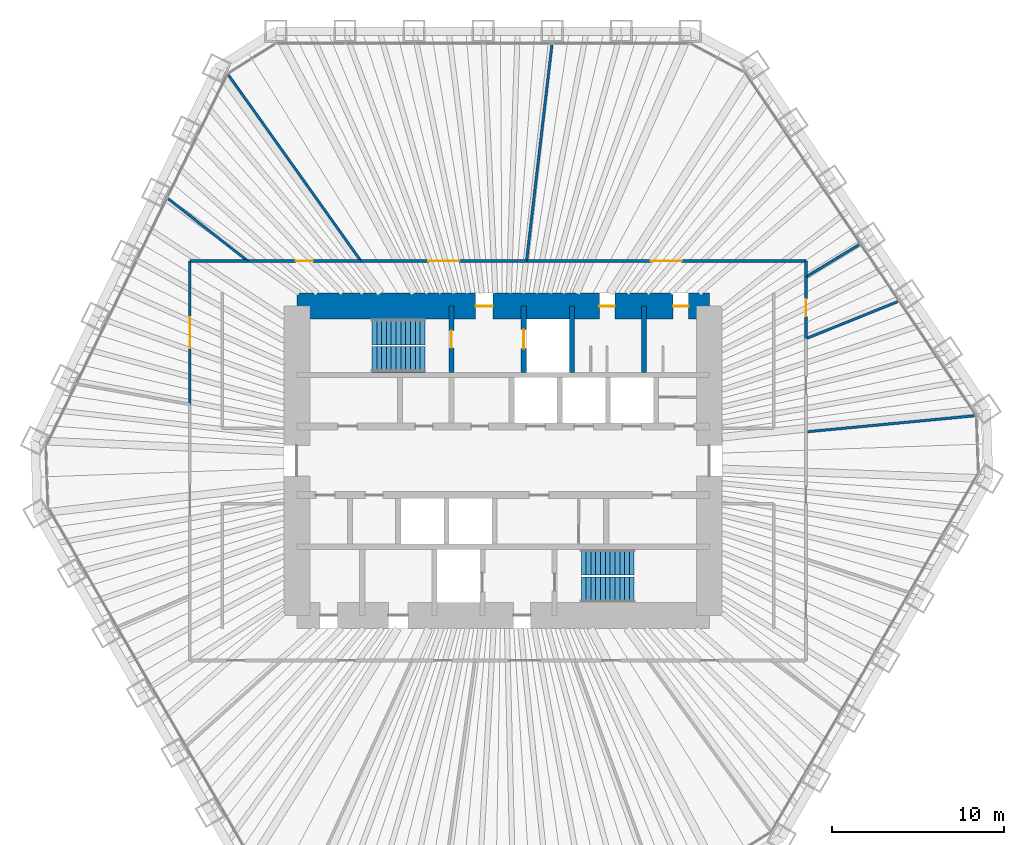
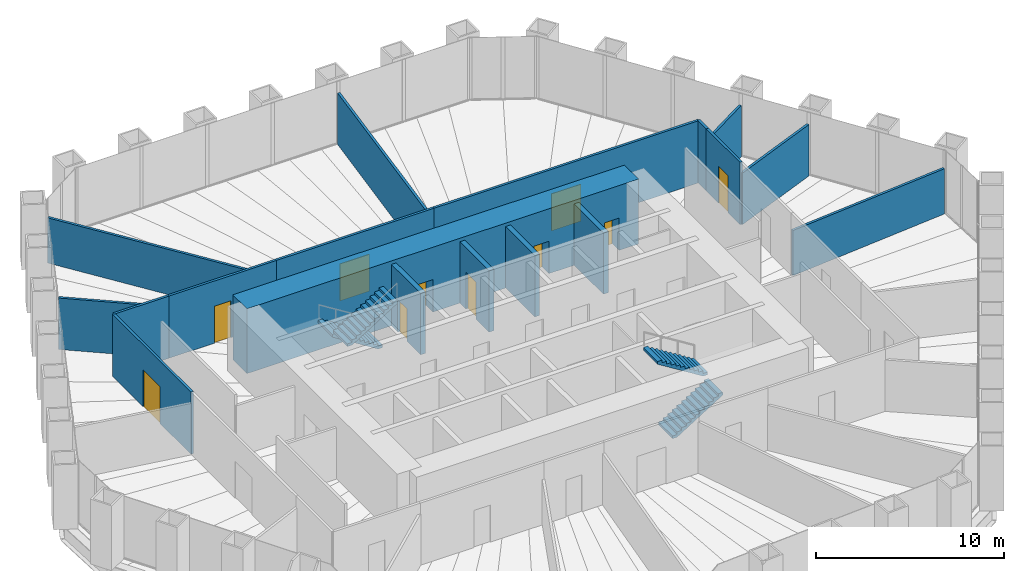
# One storey, part 12 of 13: 18 walls, 10 doors, 4 stair flights, 10 openings, 2 elements without a shape of their own.
"""IFC4 building model written with IfcOpenShell, lengths in metres."""

from ifc_helpers import new_model, si_unit, direction, frame, frame_2d, origin, place, context, subcontext, project, spatial, polyline, rectangle, outline, extrude, material, layer, layer_set, type_object, element, fill, aggregate, save


model = new_model("IFC4")

# Units and contexts
model_context = context("Model", 3, precision=1e-05, world=origin(), true_north=direction((0.0, 1.0)))
body_context = subcontext(model_context, "Body", "Model", "MODEL_VIEW")
ifc_project = project(units=[si_unit("LENGTHUNIT", "METRE"), si_unit("AREAUNIT", "SQUARE_METRE"), si_unit("VOLUMEUNIT", "CUBIC_METRE"), si_unit("PLANEANGLEUNIT", "RADIAN"), si_unit("MASSUNIT", "GRAM", prefix="KILO")], contexts=[model_context])

# Site, building, storey
site_placement = place(None, origin())
site = spatial("IfcSite", under=ifc_project, at=site_placement, CompositionType="ELEMENT")
building_placement = place(site_placement, origin())
building = spatial("IfcBuilding", under=site, at=building_placement, Name="Qingtian Harvest Tower", CompositionType="ELEMENT")
storey_placement = place(building_placement, frame((0.0, 0.0, 128.199951171875)))
storey = spatial("IfcBuildingStorey", under=building, at=storey_placement, Name="L26", CompositionType="ELEMENT", Elevation=128.199951171875)

# Wall, opening, door
ifc_material_1 = material(Name="Precast concrete shaft panel", Category="concrete")
ifc_layer_1 = layer(ifc_material_1, 0.300048828125)
ifc_layer_set_1 = layer_set([ifc_layer_1], Name="Core shaft partition SW1 300")
wall_type_1 = type_object("IfcWallType", Name="Core shaft partition SW1 300", PredefinedType="PARTITIONING", material=ifc_layer_set_1)
wall_1_placement = place(storey_placement, frame((-3.0, 5.14990234375, 0.0), z_axis=(0.0, 0.0, 1.0), x_axis=(0.0, 1.0, 0.0)))
wall_1 = element("IfcWall", 1, at=wall_1_placement, inside=storey, type_object=wall_type_1, Name="Core shaft partition XN1 L26", PredefinedType="PARTITIONING", context=body_context, shape_type="SweptSolid", body=[
    extrude(rectangle(XDim=3.85009765625, YDim=0.300048828125, at=frame_2d((1.925048828125, 0.0))), origin(), (0.0, 0.0, 1.0), 3.97998046875),
])
opening_1_placement = place(wall_1_placement, frame((1.425048828125, 0.0, 0.0)))
opening_1 = element("IfcOpeningElement", 2, at=opening_1_placement, cuts=wall_1, Name="Opening FD1", PredefinedType="OPENING", context=body_context, shape_type="SweptSolid", body=[
    extrude(rectangle(XDim=1.0, YDim=2.10009765625, at=frame_2d((0.5, 1.050048828125))), frame((0.0, 0.159912109375, 0.0), z_axis=(0.0, -1.0, 0.0), x_axis=(1.0, 0.0, 0.0)), (0.0, 0.0, 1.0), 0.320068359375),
])
ifc_material_2 = material(Name="Steel-faced door leaf", Category="steel")
door_type_1 = type_object("IfcDoorType", Name="Fire door FD1 single 1 HR", OperationType="SINGLE_SWING_LEFT", PredefinedType="DOOR", material=ifc_material_2)
door_1_placement = place(opening_1_placement, origin())
door_1 = element("IfcDoor", 3, at=door_1_placement, inside=storey, type_object=door_type_1, Name="S1 door L26", OperationType="SINGLE_SWING_LEFT", OverallHeight=2.10009765625, OverallWidth=1.0, PredefinedType="DOOR", context=body_context, shape_type="SweptSolid", body=[
    extrude(rectangle(XDim=1.0, YDim=2.10009765625, at=frame_2d((0.5, 1.050048828125))), frame((0.0, 0.02490234375, 0.0), z_axis=(0.0, -1.0, 0.0), x_axis=(1.0, 0.0, 0.0)), (0.0, 0.0, 1.0), 0.050048828125),
])
fill(opening_1, door_1)

wall_2_placement = place(storey_placement, frame((1.199951171875, 5.14990234375, 0.0), z_axis=(0.0, 0.0, 1.0), x_axis=(0.0, 1.0, 0.0)))
wall_2 = element("IfcWall", 4, at=wall_2_placement, inside=storey, type_object=wall_type_1, Name="Core shaft partition XN2 L26", PredefinedType="PARTITIONING", context=body_context, shape_type="SweptSolid", body=[
    extrude(rectangle(XDim=3.85009765625, YDim=0.300048828125, at=frame_2d((1.925048828125, 0.0))), origin(), (0.0, 0.0, 1.0), 3.97998046875),
])
opening_2_placement = place(wall_2_placement, frame((1.375, 0.0, 0.0)))
opening_2 = element("IfcOpeningElement", 5, at=opening_2_placement, cuts=wall_2, Name="Opening LD1", PredefinedType="OPENING", context=body_context, shape_type="SweptSolid", body=[
    extrude(rectangle(XDim=1.10009765625, YDim=2.39990234375, at=frame_2d((0.550048828125, 1.199951171875))), frame((0.0, 0.159912109375, 0.0), z_axis=(0.0, -1.0, 0.0), x_axis=(1.0, 0.0, 0.0)), (0.0, 0.0, 1.0), 0.320068359375),
])
ifc_material_3 = material(Name="Stainless steel lift landing door", Category="steel")
door_type_2 = type_object("IfcDoorType", Name="Lift landing door LD1 1 HR", OperationType="DOUBLE_DOOR_SLIDING", PredefinedType="DOOR", material=ifc_material_3)
door_2_placement = place(opening_2_placement, origin())
door_2 = element("IfcDoor", 6, at=door_2_placement, inside=storey, type_object=door_type_2, Name="FL1 landing door L26", OperationType="DOUBLE_DOOR_SLIDING", OverallHeight=2.39990234375, OverallWidth=1.10009765625, PredefinedType="DOOR", context=body_context, shape_type="SweptSolid", body=[
    extrude(rectangle(XDim=1.10009765625, YDim=2.39990234375, at=frame_2d((0.550048828125, 1.199951171875))), frame((0.0, 0.02490234375, 0.0), z_axis=(0.0, -1.0, 0.0), x_axis=(1.0, 0.0, 0.0)), (0.0, 0.0, 1.0), 0.050048828125),
])
fill(opening_2, door_2)

# Walls
for number, where, z_axis, x_axis, name in (
    (7, (4.0, 5.14990234375, 0.0), (0.0, 0.0, 1.0), (0.0, 1.0, 0.0), "Core shaft partition XN3 L26"),
    (8, (8.199951171875, 5.14990234375, 0.0), (0.0, 0.0, 1.0), (0.0, 1.0, 0.0), "Core shaft partition XN4 L26"),
):
    element("IfcWall", number, at=place(storey_placement, frame(where, z_axis=z_axis, x_axis=x_axis)), inside=storey, type_object=wall_type_1, Name=name, PredefinedType="PARTITIONING", context=body_context, shape_type="SweptSolid", body=[
        extrude(rectangle(XDim=3.85009765625, YDim=0.300048828125, at=frame_2d((1.925048828125, 0.0))), origin(), (0.0, 0.0, 1.0), 3.97998046875),
    ])

# Wall, openings, doors
ifc_material_4 = material(Name="Concrete fc' 70 MPa", Category="concrete")
ifc_layer_2 = layer(ifc_material_4, 1.5)
ifc_layer_set_2 = layer_set([ifc_layer_2], Name="Core wall RC1 1500")
wall_type_2 = type_object("IfcWallType", Name="Core wall RC1 1500", PredefinedType="SHEAR", material=ifc_layer_set_2)
wall_3_placement = place(storey_placement, frame((-12.0, 9.0, 0.0), z_axis=(0.0, 0.0, 1.0), x_axis=(1.0, 0.0, 0.0)))
wall_3 = element("IfcWall", 9, at=wall_3_placement, inside=storey, type_object=wall_type_2, Name="Core wall CN L26", PredefinedType="SHEAR", context=body_context, shape_type="SweptSolid", body=[
    extrude(rectangle(XDim=24.0, YDim=1.5, at=frame_2d((12.0, 0.0))), origin(), (0.0, 0.0, 1.0), 4.199951171875),
])
opening_3_placement = place(wall_3_placement, frame((10.39990234375, 0.0, 0.0)))
opening_3 = element("IfcOpeningElement", 10, at=opening_3_placement, cuts=wall_3, Name="Opening FD1", PredefinedType="OPENING", context=body_context, shape_type="SweptSolid", body=[
    extrude(rectangle(XDim=1.0, YDim=2.10009765625, at=frame_2d((0.5, 1.050048828125))), frame((0.0, 0.760009765625, 0.0), z_axis=(0.0, -1.0, 0.0), x_axis=(1.0, 0.0, 0.0)), (0.0, 0.0, 1.0), 1.52001953125),
])
opening_4_placement = place(wall_3_placement, frame((17.60009765625, 0.0, 0.0)))
opening_4 = element("IfcOpeningElement", 11, at=opening_4_placement, cuts=wall_3, Name="Opening D1", PredefinedType="OPENING", context=body_context, shape_type="SweptSolid", body=[
    extrude(rectangle(XDim=0.89990234375, YDim=2.10009765625, at=frame_2d((0.449951171875, 1.050048828125))), frame((0.0, 0.760009765625, 0.0), z_axis=(0.0, -1.0, 0.0), x_axis=(1.0, 0.0, 0.0)), (0.0, 0.0, 1.0), 1.52001953125),
])
opening_5_placement = place(wall_3_placement, frame((21.89990234375, 0.0, 0.0)))
opening_5 = element("IfcOpeningElement", 12, at=opening_5_placement, cuts=wall_3, Name="Opening D1", PredefinedType="OPENING", context=body_context, shape_type="SweptSolid", body=[
    extrude(rectangle(XDim=0.89990234375, YDim=2.10009765625, at=frame_2d((0.449951171875, 1.050048828125))), frame((0.0, 0.760009765625, 0.0), z_axis=(0.0, -1.0, 0.0), x_axis=(1.0, 0.0, 0.0)), (0.0, 0.0, 1.0), 1.52001953125),
])
door_3_placement = place(opening_3_placement, origin())
door_3 = element("IfcDoor", 13, at=door_3_placement, inside=storey, type_object=door_type_1, Name="V1 door L26", OperationType="SINGLE_SWING_LEFT", OverallHeight=2.10009765625, OverallWidth=1.0, PredefinedType="DOOR", context=body_context, shape_type="SweptSolid", body=[
    extrude(rectangle(XDim=1.0, YDim=2.10009765625, at=frame_2d((0.5, 1.050048828125))), frame((0.0, 0.02490234375, 0.0), z_axis=(0.0, -1.0, 0.0), x_axis=(1.0, 0.0, 0.0)), (0.0, 0.0, 1.0), 0.050048828125),
])
fill(opening_3, door_3)
ifc_material_5 = material(Name="Laminated timber door leaf", Category="wood")
door_type_3 = type_object("IfcDoorType", Name="Toilet door D1 single", OperationType="SINGLE_SWING_LEFT", PredefinedType="DOOR", material=ifc_material_5)
door_4_placement = place(opening_4_placement, origin())
door_4 = element("IfcDoor", 14, at=door_4_placement, inside=storey, type_object=door_type_3, Name="WCM door L26", OperationType="SINGLE_SWING_LEFT", OverallHeight=2.10009765625, OverallWidth=0.89990234375, PredefinedType="DOOR", context=body_context, shape_type="SweptSolid", body=[
    extrude(rectangle(XDim=0.89990234375, YDim=2.10009765625, at=frame_2d((0.449951171875, 1.050048828125))), frame((0.0, 0.02490234375, 0.0), z_axis=(0.0, -1.0, 0.0), x_axis=(1.0, 0.0, 0.0)), (0.0, 0.0, 1.0), 0.050048828125),
])
fill(opening_4, door_4)
door_5_placement = place(opening_5_placement, origin())
door_5 = element("IfcDoor", 15, at=door_5_placement, inside=storey, type_object=door_type_3, Name="WCF door L26", OperationType="SINGLE_SWING_LEFT", OverallHeight=2.10009765625, OverallWidth=0.89990234375, PredefinedType="DOOR", context=body_context, shape_type="SweptSolid", body=[
    extrude(rectangle(XDim=0.89990234375, YDim=2.10009765625, at=frame_2d((0.449951171875, 1.050048828125))), frame((0.0, 0.02490234375, 0.0), z_axis=(0.0, -1.0, 0.0), x_axis=(1.0, 0.0, 0.0)), (0.0, 0.0, 1.0), 0.050048828125),
])
fill(opening_5, door_5)

# Wall, opening, door
ifc_material_6 = material(Name="Gypsum board on steel studs", Category="steel")
ifc_layer_3 = layer(ifc_material_6, 0.14990234375)
ifc_layer_set_3 = layer_set([ifc_layer_3], Name="Partition PT1 150")
wall_type_3 = type_object("IfcWallType", Name="Partition PT1 150", PredefinedType="PARTITIONING", material=ifc_layer_set_3)
wall_4_placement = place(storey_placement, frame((-18.22509765625, 3.281005859375, 0.0), z_axis=(0.0, 0.0, 1.0), x_axis=(0.0, 1.0, 0.0)))
wall_4 = element("IfcWall", 16, at=wall_4_placement, inside=storey, type_object=wall_type_3, Name="Test kitchen wall L26", PredefinedType="PARTITIONING", context=body_context, shape_type="SweptSolid", body=[
    extrude(rectangle(XDim=8.343994140625, YDim=0.14990234375, at=frame_2d((4.171875, 0.0))), origin(), (0.0, 0.0, 1.0), 4.030029296875),
])
opening_6_placement = place(wall_4_placement, frame((3.27197265625, 0.0, 0.0)))
opening_6 = element("IfcOpeningElement", 17, at=opening_6_placement, cuts=wall_4, Name="Opening D3", PredefinedType="OPENING", context=body_context, shape_type="SweptSolid", body=[
    extrude(rectangle(XDim=1.800048828125, YDim=2.39990234375, at=frame_2d((0.89990234375, 1.199951171875))), frame((0.0, 0.0849609375, 0.0), z_axis=(0.0, -1.0, 0.0), x_axis=(1.0, 0.0, 0.0)), (0.0, 0.0, 1.0), 0.169921875),
])
ifc_material_7 = material(Name="Laminated timber door leaf", Category="wood")
door_type_4 = type_object("IfcDoorType", Name="Room door D3 double", OperationType="DOUBLE_DOOR_DOUBLE_SWING", PredefinedType="DOOR", material=ifc_material_7)
door_6_placement = place(opening_6_placement, origin())
door_6 = element("IfcDoor", 18, at=door_6_placement, inside=storey, type_object=door_type_4, Name="Test kitchen door L26", OperationType="DOUBLE_DOOR_DOUBLE_SWING", OverallHeight=2.39990234375, OverallWidth=1.800048828125, PredefinedType="DOOR", context=body_context, shape_type="SweptSolid", body=[
    extrude(rectangle(XDim=1.800048828125, YDim=2.39990234375, at=frame_2d((0.89990234375, 1.199951171875))), frame((0.0, 0.02490234375, 0.0), z_axis=(0.0, -1.0, 0.0), x_axis=(1.0, 0.0, 0.0)), (0.0, 0.0, 1.0), 0.050048828125),
])
fill(opening_6, door_6)

# Walls
wall_5_placement = place(storey_placement, frame((-18.22509765625, 11.625, 0.0), z_axis=(0.0, 0.0, 1.0), x_axis=(1.0, 0.0, 0.0)))
element("IfcWall", 19, at=wall_5_placement, inside=storey, type_object=wall_type_3, Name="Test kitchen wall L26", PredefinedType="PARTITIONING", context=body_context, shape_type="SweptSolid", body=[
    extrude(rectangle(XDim=3.367919921875, YDim=0.14990234375, at=frame_2d((1.68408203125, 0.0))), origin(), (0.0, 0.0, 1.0), 4.030029296875),
])
wall_6_placement = place(storey_placement, frame((-19.489501953125, 15.249755859375, 0.0), z_axis=(0.0, 0.0, 1.0), x_axis=(0.787549668605, -0.616251182133, 0.0)))
element("IfcWall", 20, at=wall_6_placement, inside=storey, type_object=wall_type_3, Name="Food analysis lab wall L26", PredefinedType="PARTITIONING", context=body_context, shape_type="SweptSolid", body=[
    extrude(rectangle(XDim=5.8818359375, YDim=0.14990234375, at=frame_2d((2.94091796875, 0.0))), origin(), (0.0, 0.0, 1.0), 3.330078125),
])

# Wall, opening, door
wall_7_placement = place(storey_placement, frame((-14.857177734375, 11.625, 0.0), z_axis=(0.0, 0.0, 1.0), x_axis=(1.0, 0.0, 0.0)))
wall_7 = element("IfcWall", 21, at=wall_7_placement, inside=storey, type_object=wall_type_3, Name="Food analysis lab wall L26", PredefinedType="PARTITIONING", context=body_context, shape_type="SweptSolid", body=[
    extrude(rectangle(XDim=6.58056640625, YDim=0.14990234375, at=frame_2d((3.290283203125, 0.0))), origin(), (0.0, 0.0, 1.0), 4.030029296875),
])
opening_7_placement = place(wall_7_placement, frame((2.790283203125, 0.0, 0.0)))
opening_7 = element("IfcOpeningElement", 22, at=opening_7_placement, cuts=wall_7, Name="Opening D2", PredefinedType="OPENING", context=body_context, shape_type="SweptSolid", body=[
    extrude(rectangle(XDim=1.0, YDim=2.39990234375, at=frame_2d((0.5, 1.199951171875))), frame((0.0, 0.0849609375, 0.0), z_axis=(0.0, -1.0, 0.0), x_axis=(1.0, 0.0, 0.0)), (0.0, 0.0, 1.0), 0.169921875),
])
ifc_material_8 = material(Name="Laminated timber door leaf", Category="wood")
door_type_5 = type_object("IfcDoorType", Name="Room door D2 single", OperationType="SINGLE_SWING_LEFT", PredefinedType="DOOR", material=ifc_material_8)
door_7_placement = place(opening_7_placement, origin())
door_7 = element("IfcDoor", 23, at=door_7_placement, inside=storey, type_object=door_type_5, Name="Food analysis lab door L26", OperationType="SINGLE_SWING_RIGHT", OverallHeight=2.39990234375, OverallWidth=1.0, PredefinedType="DOOR", context=body_context, shape_type="SweptSolid", body=[
    extrude(rectangle(XDim=1.0, YDim=2.39990234375, at=frame_2d((0.5, 1.199951171875))), frame((0.0, 0.02490234375, 0.0), z_axis=(0.0, -1.0, 0.0), x_axis=(1.0, 0.0, 0.0)), (0.0, 0.0, 1.0), 0.050048828125),
])
fill(opening_7, door_7)

# Wall
wall_8_placement = place(storey_placement, frame((-15.986572265625, 22.45458984375, 0.0), z_axis=(0.0, 0.0, 1.0), x_axis=(0.579969304452, -0.814638328274, 0.0)))
element("IfcWall", 24, at=wall_8_placement, inside=storey, type_object=wall_type_3, Name="Lab office wall L26", PredefinedType="PARTITIONING", context=body_context, shape_type="SweptSolid", body=[
    extrude(rectangle(XDim=13.293701171875, YDim=0.14990234375, at=frame_2d((6.64697265625, 0.0))), origin(), (0.0, 0.0, 1.0), 2.929931640625),
])

# Wall, opening, door
wall_9_placement = place(storey_placement, frame((-8.276611328125, 11.625, 0.0), z_axis=(0.0, 0.0, 1.0), x_axis=(1.0, 0.0, 0.0)))
wall_9 = element("IfcWall", 25, at=wall_9_placement, inside=storey, type_object=wall_type_3, Name="Lab office wall L26", PredefinedType="PARTITIONING", context=body_context, shape_type="SweptSolid", body=[
    extrude(rectangle(XDim=9.642333984375, YDim=0.14990234375, at=frame_2d((4.8212890625, 0.0))), origin(), (0.0, 0.0, 1.0), 4.030029296875),
])
opening_8_placement = place(wall_9_placement, frame((3.921142578125, 0.0, 0.0)))
opening_8 = element("IfcOpeningElement", 26, at=opening_8_placement, cuts=wall_9, Name="Opening D3", PredefinedType="OPENING", context=body_context, shape_type="SweptSolid", body=[
    extrude(rectangle(XDim=1.800048828125, YDim=2.39990234375, at=frame_2d((0.89990234375, 1.199951171875))), frame((0.0, 0.0849609375, 0.0), z_axis=(0.0, -1.0, 0.0), x_axis=(1.0, 0.0, 0.0)), (0.0, 0.0, 1.0), 0.169921875),
])
door_8_placement = place(opening_8_placement, origin())
door_8 = element("IfcDoor", 27, at=door_8_placement, inside=storey, type_object=door_type_4, Name="Lab office door L26", OperationType="DOUBLE_DOOR_DOUBLE_SWING", OverallHeight=2.39990234375, OverallWidth=1.800048828125, PredefinedType="DOOR", context=body_context, shape_type="SweptSolid", body=[
    extrude(rectangle(XDim=1.800048828125, YDim=2.39990234375, at=frame_2d((0.89990234375, 1.199951171875))), frame((0.0, 0.02490234375, 0.0), z_axis=(0.0, -1.0, 0.0), x_axis=(1.0, 0.0, 0.0)), (0.0, 0.0, 1.0), 0.050048828125),
])
fill(opening_8, door_8)

# Wall
wall_10_placement = place(storey_placement, frame((2.843017578125, 24.20068359375, 0.0), z_axis=(0.0, 0.0, 1.0), x_axis=(-0.116670084723, -0.993170726175, 0.0)))
element("IfcWall", 28, at=wall_10_placement, inside=storey, type_object=wall_type_3, Name="Office suite wall L26", PredefinedType="PARTITIONING", context=body_context, shape_type="SweptSolid", body=[
    extrude(rectangle(XDim=12.662109375, YDim=0.14990234375, at=frame_2d((6.3310546875, 0.0))), origin(), (0.0, 0.0, 1.0), 3.330078125),
])

# Wall, opening, door
wall_11_placement = place(storey_placement, frame((1.36572265625, 11.625, 0.0), z_axis=(0.0, 0.0, 1.0), x_axis=(1.0, 0.0, 0.0)))
wall_11 = element("IfcWall", 29, at=wall_11_placement, inside=storey, type_object=wall_type_3, Name="Office suite wall L26", PredefinedType="PARTITIONING", context=body_context, shape_type="SweptSolid", body=[
    extrude(rectangle(XDim=16.25927734375, YDim=0.14990234375, at=frame_2d((8.129638671875, 0.0))), origin(), (0.0, 0.0, 1.0), 4.030029296875),
])
opening_9_placement = place(wall_11_placement, frame((7.229736328125, 0.0, 0.0)))
opening_9 = element("IfcOpeningElement", 30, at=opening_9_placement, cuts=wall_11, Name="Opening D3", PredefinedType="OPENING", context=body_context, shape_type="SweptSolid", body=[
    extrude(rectangle(XDim=1.800048828125, YDim=2.39990234375, at=frame_2d((0.89990234375, 1.199951171875))), frame((0.0, 0.0849609375, 0.0), z_axis=(0.0, -1.0, 0.0), x_axis=(1.0, 0.0, 0.0)), (0.0, 0.0, 1.0), 0.169921875),
])
door_9_placement = place(opening_9_placement, origin())
door_9 = element("IfcDoor", 31, at=door_9_placement, inside=storey, type_object=door_type_4, Name="Office suite door L26", OperationType="DOUBLE_DOOR_DOUBLE_SWING", OverallHeight=2.39990234375, OverallWidth=1.800048828125, PredefinedType="DOOR", context=body_context, shape_type="SweptSolid", body=[
    extrude(rectangle(XDim=1.800048828125, YDim=2.39990234375, at=frame_2d((0.89990234375, 1.199951171875))), frame((0.0, 0.02490234375, 0.0), z_axis=(0.0, -1.0, 0.0), x_axis=(1.0, 0.0, 0.0)), (0.0, 0.0, 1.0), 0.050048828125),
])
fill(opening_9, door_9)

# Walls
wall_12_placement = place(storey_placement, frame((17.625, 11.625, 0.0), z_axis=(0.0, 0.0, 1.0), x_axis=(0.0, -1.0, 0.0)))
element("IfcWall", 32, at=wall_12_placement, inside=storey, type_object=wall_type_3, Name="Office suite wall L26", PredefinedType="PARTITIONING", context=body_context, shape_type="SweptSolid", body=[
    extrude(rectangle(XDim=0.92724609375, YDim=0.14990234375, at=frame_2d((0.463623046875, 0.0))), origin(), (0.0, 0.0, 1.0), 4.030029296875),
])
wall_13_placement = place(storey_placement, frame((20.71142578125, 12.571044921875, 0.0), z_axis=(0.0, 0.0, 1.0), x_axis=(-0.854862500505, -0.518854608952, 0.0)))
element("IfcWall", 33, at=wall_13_placement, inside=storey, type_object=wall_type_3, Name="Focus room wall L26", PredefinedType="PARTITIONING", context=body_context, shape_type="SweptSolid", body=[
    extrude(rectangle(XDim=3.6103515625, YDim=0.14990234375, at=frame_2d((1.80517578125, 0.0))), origin(), (0.0, 0.0, 1.0), 3.330078125),
])

# Wall, opening, door
wall_14_placement = place(storey_placement, frame((17.625, 10.69775390625, 0.0), z_axis=(0.0, 0.0, 1.0), x_axis=(0.0, -1.0, 0.0)))
wall_14 = element("IfcWall", 34, at=wall_14_placement, inside=storey, type_object=wall_type_3, Name="Focus room wall L26", PredefinedType="PARTITIONING", context=body_context, shape_type="SweptSolid", body=[
    extrude(rectangle(XDim=3.591796875, YDim=0.14990234375, at=frame_2d((1.7958984375, 0.0))), origin(), (0.0, 0.0, 1.0), 4.030029296875),
])
opening_10_placement = place(wall_14_placement, frame((1.2958984375, 0.0, 0.0)))
opening_10 = element("IfcOpeningElement", 35, at=opening_10_placement, cuts=wall_14, Name="Opening D2", PredefinedType="OPENING", context=body_context, shape_type="SweptSolid", body=[
    extrude(rectangle(XDim=1.0, YDim=2.39990234375, at=frame_2d((0.5, 1.199951171875))), frame((0.0, 0.0849609375, 0.0), z_axis=(0.0, -1.0, 0.0), x_axis=(1.0, 0.0, 0.0)), (0.0, 0.0, 1.0), 0.169921875),
])
door_10_placement = place(opening_10_placement, origin())
door_10 = element("IfcDoor", 36, at=door_10_placement, inside=storey, type_object=door_type_5, Name="Focus room door L26", OperationType="SINGLE_SWING_RIGHT", OverallHeight=2.39990234375, OverallWidth=1.0, PredefinedType="DOOR", context=body_context, shape_type="SweptSolid", body=[
    extrude(rectangle(XDim=1.0, YDim=2.39990234375, at=frame_2d((0.5, 1.199951171875))), frame((0.0, 0.02490234375, 0.0), z_axis=(0.0, -1.0, 0.0), x_axis=(1.0, 0.0, 0.0)), (0.0, 0.0, 1.0), 0.050048828125),
])
fill(opening_10, door_10)

# Walls
wall_15_placement = place(storey_placement, frame((22.951416015625, 9.253662109375, 0.0), z_axis=(0.0, 0.0, 1.0), x_axis=(-0.927444087873, -0.373961848147, 0.0)))
element("IfcWall", 37, at=wall_15_placement, inside=storey, type_object=wall_type_3, Name="Pantry wall L26", PredefinedType="PARTITIONING", context=body_context, shape_type="SweptSolid", body=[
    extrude(rectangle(XDim=5.7431640625, YDim=0.14990234375, at=frame_2d((2.87158203125, 0.0))), origin(), (0.0, 0.0, 1.0), 3.330078125),
])
wall_16_placement = place(storey_placement, frame((27.439453125, 2.61767578125, 0.0), z_axis=(0.0, 0.0, 1.0), x_axis=(-0.995480435234, -0.094966852466, 0.0)))
element("IfcWall", 38, at=wall_16_placement, inside=storey, type_object=wall_type_3, Name="Specimen store wall L26", PredefinedType="PARTITIONING", context=body_context, shape_type="SweptSolid", body=[
    extrude(rectangle(XDim=9.859130859375, YDim=0.14990234375, at=frame_2d((4.9296875, 0.0))), origin(), (0.0, 0.0, 1.0), 2.929931640625),
])

# Stair, stair flights
ifc_material_9 = material(Name="Concrete fc' 35 MPa", Category="concrete")
stair_type = type_object("IfcStairType", Name="Special stair ST3 4200", PredefinedType="HALF_TURN_STAIR", material=ifc_material_9)
stair_1_placement = place(storey_placement, origin())
stair_1 = element("IfcStair", 39, at=stair_1_placement, inside=storey, type_object=stair_type, Name="Special stair S1 L26", PredefinedType="HALF_TURN_STAIR")
ifc_material_10 = material(Name="Concrete fc' 35 MPa", Category="concrete")
stair_flight_type = type_object("IfcStairFlightType", Name="Stair flight SF3 4200", PredefinedType="STRAIGHT", material=ifc_material_10)
stair_flight_1_placement = place(storey_placement, frame((-4.550048828125, 7.5, 0.0), z_axis=(0.0, 0.0, 1.0), x_axis=(-1.0, 0.0, 0.0)))
stair_flight_1 = element("IfcStairFlight", 40, at=stair_flight_1_placement, type_object=stair_flight_type, Name="S1 flight 1", NumberOfRisers=12, NumberOfTreads=11, PredefinedType="STRAIGHT", RiserHeight=0.175, TreadLength=0.28, context=body_context, shape_type="SweptSolid", body=[
    extrude(outline(polyline([(0.0, 0.0), (0.0, 0.175048828125), (0.280029296875, 0.175048828125), (0.280029296875, 0.35009765625), (0.56005859375, 0.35009765625), (0.56005859375, 0.52490234375), (0.840087890625, 0.52490234375), (0.840087890625, 0.699951171875), (1.1201171875, 0.699951171875), (1.1201171875, 0.875), (1.39990234375, 0.875), (1.39990234375, 1.050048828125), (1.679931640625, 1.050048828125), (1.679931640625, 1.22509765625), (1.9599609375, 1.22509765625), (1.9599609375, 1.39990234375), (2.239990234375, 1.39990234375), (2.239990234375, 1.574951171875), (2.52001953125, 1.574951171875), (2.52001953125, 1.75), (2.800048828125, 1.75), (2.800048828125, 1.925048828125), (3.080078125, 1.925048828125), (3.080078125, 2.10009765625), (3.080078125, 1.748291015625), (0.28271484375, 0.0), (0.0, 0.0)])), frame((0.0, 0.75, 0.0), z_axis=(0.0, -1.0, 0.0), x_axis=(1.0, 0.0, 0.0)), (0.0, 0.0, 1.0), 1.5),
])
stair_flight_2_placement = place(storey_placement, frame((-7.6298828125, 5.89990234375, 2.10009765625), z_axis=(0.0, 0.0, 1.0), x_axis=(1.0, 0.0, 0.0)))
stair_flight_2 = element("IfcStairFlight", 41, at=stair_flight_2_placement, type_object=stair_flight_type, Name="S1 flight 2", NumberOfRisers=12, NumberOfTreads=11, PredefinedType="STRAIGHT", RiserHeight=0.175, TreadLength=0.28, context=body_context, shape_type="SweptSolid", body=[
    extrude(outline(polyline([(0.0, 0.0), (0.0, 0.175048828125), (0.280029296875, 0.175048828125), (0.280029296875, 0.35009765625), (0.56005859375, 0.35009765625), (0.56005859375, 0.52490234375), (0.840087890625, 0.52490234375), (0.840087890625, 0.699951171875), (1.1201171875, 0.699951171875), (1.1201171875, 0.875), (1.39990234375, 0.875), (1.39990234375, 1.050048828125), (1.679931640625, 1.050048828125), (1.679931640625, 1.22509765625), (1.9599609375, 1.22509765625), (1.9599609375, 1.39990234375), (2.239990234375, 1.39990234375), (2.239990234375, 1.574951171875), (2.52001953125, 1.574951171875), (2.52001953125, 1.75), (2.800048828125, 1.75), (2.800048828125, 1.925048828125), (3.080078125, 1.925048828125), (3.080078125, 2.10009765625), (3.080078125, 1.748291015625), (0.28271484375, 0.0), (0.0, 0.0)])), frame((0.0, 0.75, 0.0), z_axis=(0.0, -1.0, 0.0), x_axis=(1.0, 0.0, 0.0)), (0.0, 0.0, 1.0), 1.5),
])
aggregate(stair_1, [stair_flight_1, stair_flight_2])

stair_2_placement = place(storey_placement, origin())
stair_2 = element("IfcStair", 42, at=stair_2_placement, inside=storey, type_object=stair_type, Name="Special stair S2 L26", PredefinedType="HALF_TURN_STAIR")
stair_flight_3_placement = place(storey_placement, frame((4.550048828125, -7.5, 0.0), z_axis=(0.0, 0.0, 1.0), x_axis=(1.0, 0.0, 0.0)))
stair_flight_3 = element("IfcStairFlight", 43, at=stair_flight_3_placement, type_object=stair_flight_type, Name="S2 flight 1", NumberOfRisers=12, NumberOfTreads=11, PredefinedType="STRAIGHT", RiserHeight=0.175, TreadLength=0.28, context=body_context, shape_type="SweptSolid", body=[
    extrude(outline(polyline([(0.0, 0.0), (0.0, 0.175048828125), (0.280029296875, 0.175048828125), (0.280029296875, 0.35009765625), (0.56005859375, 0.35009765625), (0.56005859375, 0.52490234375), (0.840087890625, 0.52490234375), (0.840087890625, 0.699951171875), (1.1201171875, 0.699951171875), (1.1201171875, 0.875), (1.39990234375, 0.875), (1.39990234375, 1.050048828125), (1.679931640625, 1.050048828125), (1.679931640625, 1.22509765625), (1.9599609375, 1.22509765625), (1.9599609375, 1.39990234375), (2.239990234375, 1.39990234375), (2.239990234375, 1.574951171875), (2.52001953125, 1.574951171875), (2.52001953125, 1.75), (2.800048828125, 1.75), (2.800048828125, 1.925048828125), (3.080078125, 1.925048828125), (3.080078125, 2.10009765625), (3.080078125, 1.748291015625), (0.28271484375, 0.0), (0.0, 0.0)])), frame((0.0, 0.75, 0.0), z_axis=(0.0, -1.0, 0.0), x_axis=(1.0, 0.0, 0.0)), (0.0, 0.0, 1.0), 1.5),
])
stair_flight_4_placement = place(storey_placement, frame((7.6298828125, -5.89990234375, 2.10009765625), z_axis=(0.0, 0.0, 1.0), x_axis=(-1.0, 0.0, 0.0)))
stair_flight_4 = element("IfcStairFlight", 44, at=stair_flight_4_placement, type_object=stair_flight_type, Name="S2 flight 2", NumberOfRisers=12, NumberOfTreads=11, PredefinedType="STRAIGHT", RiserHeight=0.175, TreadLength=0.28, context=body_context, shape_type="SweptSolid", body=[
    extrude(outline(polyline([(0.0, 0.0), (0.0, 0.175048828125), (0.280029296875, 0.175048828125), (0.280029296875, 0.35009765625), (0.56005859375, 0.35009765625), (0.56005859375, 0.52490234375), (0.840087890625, 0.52490234375), (0.840087890625, 0.699951171875), (1.1201171875, 0.699951171875), (1.1201171875, 0.875), (1.39990234375, 0.875), (1.39990234375, 1.050048828125), (1.679931640625, 1.050048828125), (1.679931640625, 1.22509765625), (1.9599609375, 1.22509765625), (1.9599609375, 1.39990234375), (2.239990234375, 1.39990234375), (2.239990234375, 1.574951171875), (2.52001953125, 1.574951171875), (2.52001953125, 1.75), (2.800048828125, 1.75), (2.800048828125, 1.925048828125), (3.080078125, 1.925048828125), (3.080078125, 2.10009765625), (3.080078125, 1.748291015625), (0.28271484375, 0.0), (0.0, 0.0)])), frame((0.0, 0.75, 0.0), z_axis=(0.0, -1.0, 0.0), x_axis=(1.0, 0.0, 0.0)), (0.0, 0.0, 1.0), 1.5),
])
aggregate(stair_2, [stair_flight_3, stair_flight_4])

save(model, "model.ifc")
